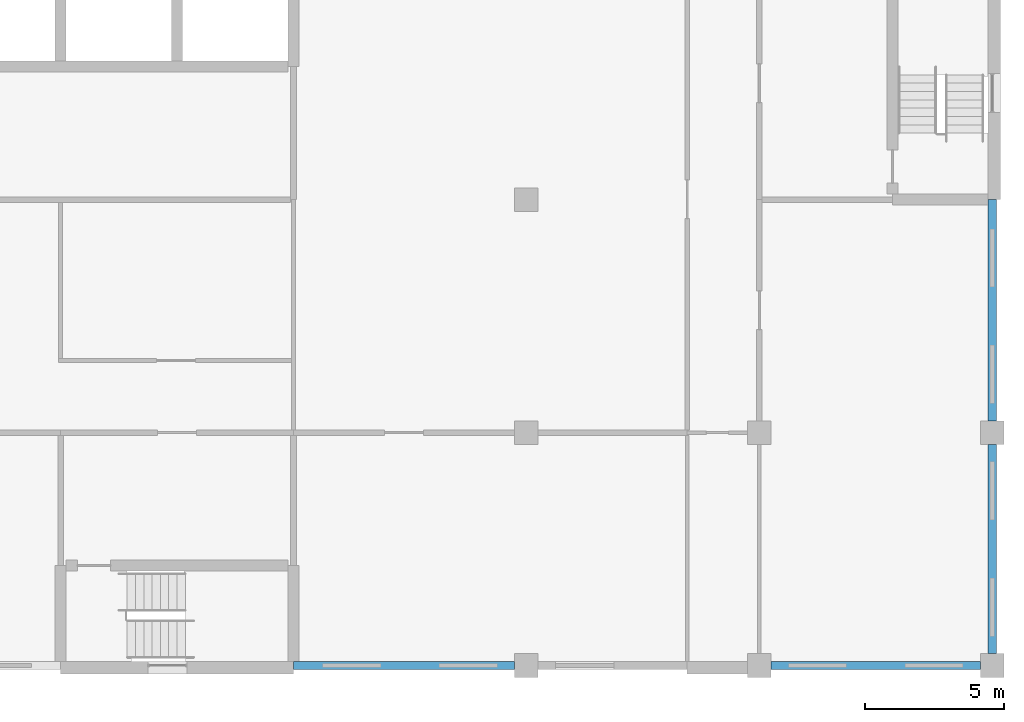
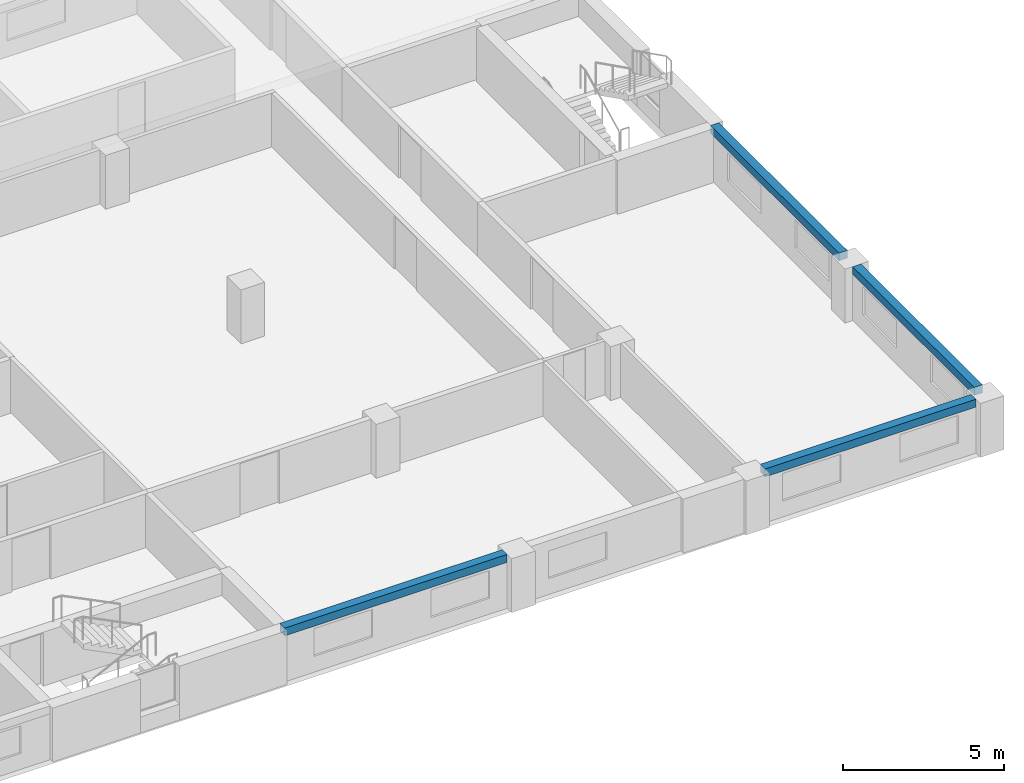
# One storey, part 20 of 48: 4 beams.
"""IFC4 building model written with IfcOpenShell, lengths in metres."""

from ifc_helpers import new_model, si_unit, direction, frame, origin, origin_2d, place, context, subcontext, project, spatial, rectangle, extrude, material, material_profile, profile_set, type_object, element, save


model = new_model("IFC4")

# Units and contexts
model_context = context("Model", 3, precision=1e-05, world=origin(), true_north=direction((0.0, 1.0)))
body_context = subcontext(model_context, "Body", "Model", "MODEL_VIEW")
ifc_project = project(units=[si_unit("LENGTHUNIT", "METRE"), si_unit("AREAUNIT", "SQUARE_METRE"), si_unit("VOLUMEUNIT", "CUBIC_METRE"), si_unit("PLANEANGLEUNIT", "RADIAN"), si_unit("MASSUNIT", "GRAM", prefix="KILO")], contexts=[model_context])

# Site, building, storey
site_placement = place(None, origin())
site = spatial("IfcSite", under=ifc_project, at=site_placement, CompositionType="ELEMENT")
building_placement = place(site_placement, origin())
building = spatial("IfcBuilding", under=site, at=building_placement, Name="Yavir Park General Hospital", CompositionType="ELEMENT")
storey_placement = place(building_placement, frame((0.0, 0.0, 12.89990234375)))
storey = spatial("IfcBuildingStorey", under=building, at=storey_placement, Name="I02", CompositionType="ELEMENT", Elevation=12.89990234375)

# Beams
ifc_material = material(Name="Concrete C35/45", Category="concrete")
ifc_material_profile = material_profile(ifc_material, rectangle(XDim=0.300048828125, YDim=0.300048828125, at=origin_2d()), Name="RC300x300")
ifc_profile_set = profile_set([ifc_material_profile], Name="Concrete C35/45")
beam_type = type_object("IfcBeamType", Name="RC BEAM 300x300 edge beam", PredefinedType="BEAM", material=ifc_profile_set)
beam_1_placement = place(storey_placement, frame((142.800048828125, 0.0, 1.89013671875), z_axis=(1.0, 0.0, 0.0), x_axis=(0.0, 1.0, 0.0)))
element("IfcBeam", 1, at=beam_1_placement, inside=storey, type_object=beam_type, Name="B:EDGE:I02:014", PredefinedType="BEAM", context=body_context, shape_type="SweptSolid", body=[
    extrude(rectangle(XDim=0.300048828125, YDim=0.300048828125, at=origin_2d()), origin(), (0.0, 0.0, 1.0), 7.974853515625),
])
for number, where, z_axis, x_axis, name in (
    (2, (160.02490234375, 0.0, 1.89013671875), (1.0, 0.0, 0.0), (0.0, 1.0, 0.0), "B:EDGE:I02:015"),
    (3, (168.0, 0.425048828125, 1.89013671875), (0.0, 1.0, 0.0), (-1.0, 0.0, 0.0), "B:EDGE:I02:050"),
):
    element("IfcBeam", number, at=place(storey_placement, frame(where, z_axis=z_axis, x_axis=x_axis)), inside=storey, type_object=beam_type, Name=name, PredefinedType="BEAM", context=body_context, shape_type="SweptSolid", body=[
        extrude(rectangle(XDim=0.300048828125, YDim=0.300048828125, at=origin_2d()), origin(), (0.0, 0.0, 1.0), 7.550048828125),
    ])
beam_2_placement = place(storey_placement, frame((168.0, 8.824951171875, 1.89013671875), z_axis=(0.0, 1.0, 0.0), x_axis=(-1.0, 0.0, 0.0)))
element("IfcBeam", 4, at=beam_2_placement, inside=storey, type_object=beam_type, Name="B:EDGE:I02:051", PredefinedType="BEAM", context=body_context, shape_type="SweptSolid", body=[
    extrude(rectangle(XDim=0.300048828125, YDim=0.300048828125, at=origin_2d()), origin(), (0.0, 0.0, 1.0), 7.97509765625),
])

save(model, "model.ifc")
